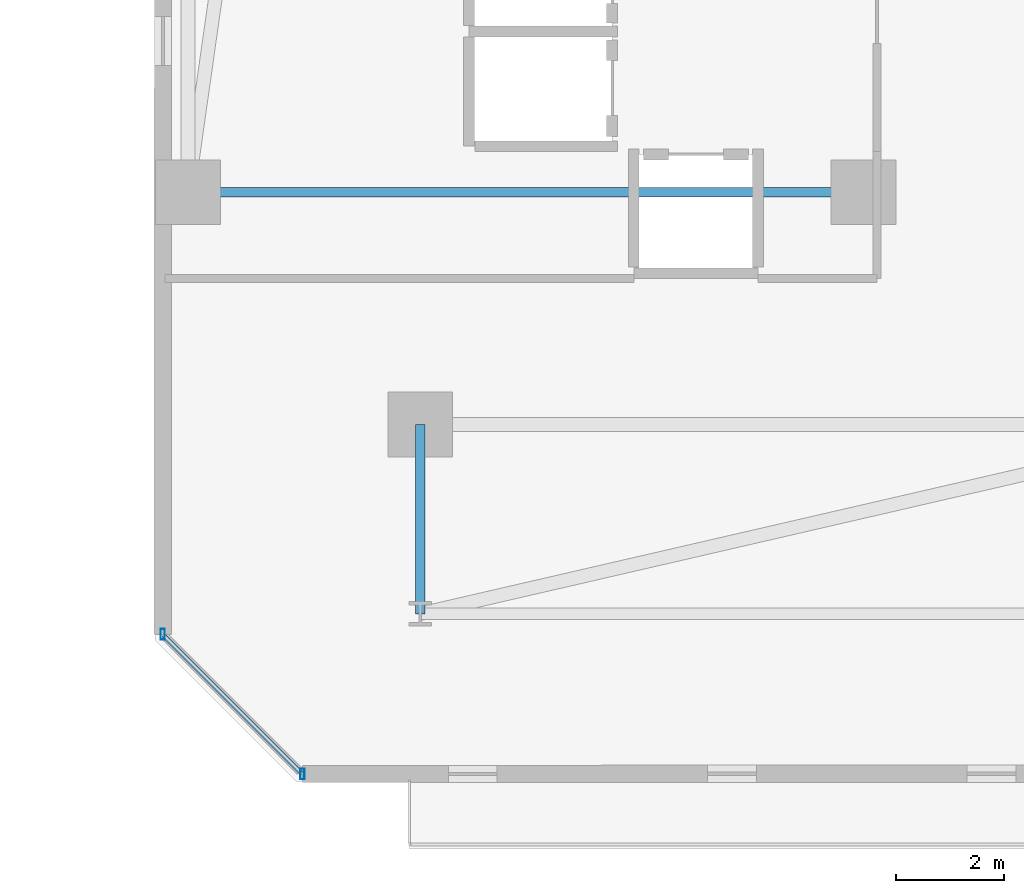
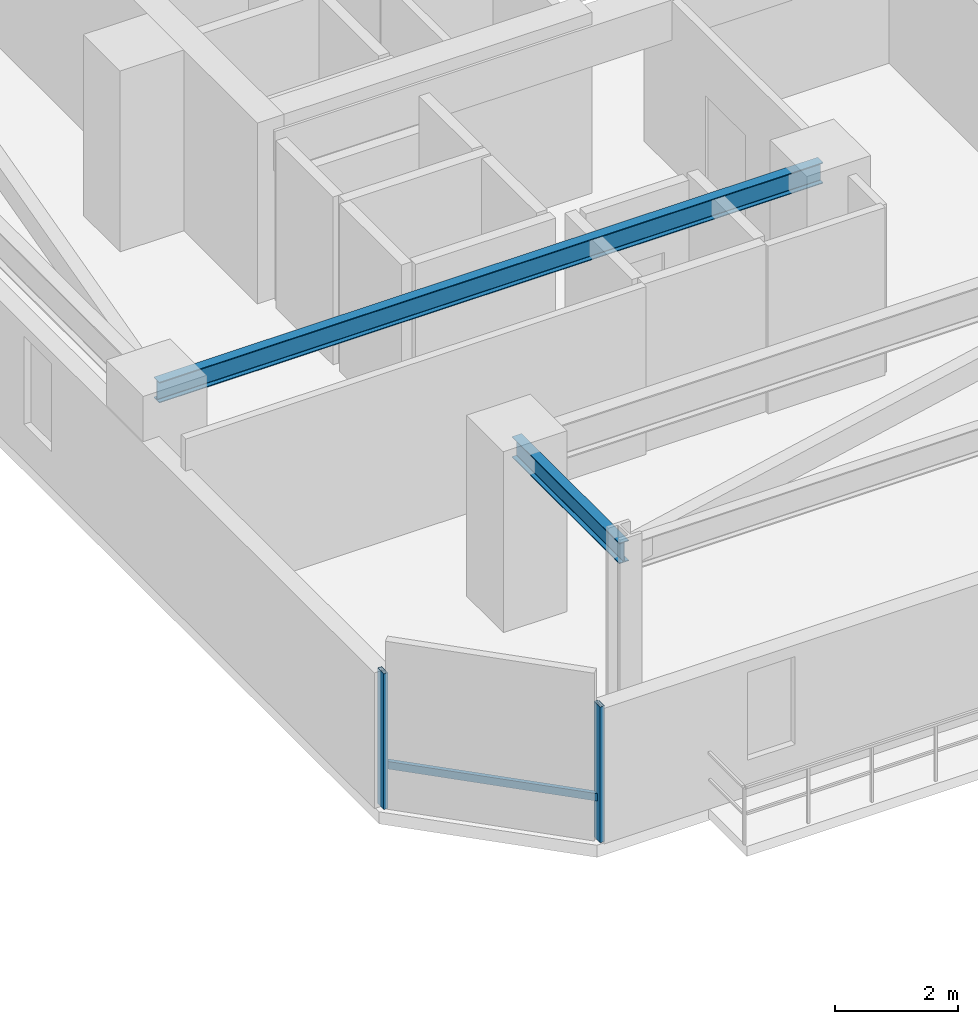
# One storey, part 10 of 31: 3 members, 2 beams, 1 element without a shape of its own.
"""IFC4 building model written with IfcOpenShell, lengths in metres."""

from ifc_helpers import new_model, si_unit, direction, frame, origin, origin_2d, place, context, subcontext, project, spatial, hollow_rectangle, i_section, extrude, material, material_profile, profile_set, type_object, element, aggregate, save


model = new_model("IFC4")

# Units and contexts
model_context = context("Model", 3, precision=1e-05, world=origin(), true_north=direction((0.0, 1.0)))
body_context = subcontext(model_context, "Body", "Model", "MODEL_VIEW")
ifc_project = project(units=[si_unit("LENGTHUNIT", "METRE"), si_unit("AREAUNIT", "SQUARE_METRE"), si_unit("VOLUMEUNIT", "CUBIC_METRE"), si_unit("PLANEANGLEUNIT", "RADIAN"), si_unit("MASSUNIT", "GRAM", prefix="KILO")], contexts=[model_context])

# Site, building, storey
site_placement = place(None, origin())
site = spatial("IfcSite", under=ifc_project, at=site_placement, CompositionType="ELEMENT")
building_placement = place(site_placement, origin())
building = spatial("IfcBuilding", under=site, at=building_placement, Name="Thornwick Lancets Civic Towers", CompositionType="ELEMENT")
storey_placement = place(building_placement, frame((0.0, 0.0, 126.89990234375)))
storey = spatial("IfcBuildingStorey", under=building, at=storey_placement, Name="L33", CompositionType="ELEMENT", Elevation=126.89990234375)

# Beams
ifc_material_1 = material(Name="Steel S355JR", Category="steel")
ifc_material_profile_1 = material_profile(ifc_material_1, i_section(OverallWidth=0.179443359375, OverallDepth=0.412841796875, WebThickness=0.009521484375, FlangeThickness=0.01611328125, FilletRadius=0.01025390625, at=origin_2d()), Name="UKB 406x178x74")
ifc_profile_set_1 = profile_set([ifc_material_profile_1], Name="Steel S355JR")
beam_type = type_object("IfcBeamType", Name="BM_JOIST_406_74", PredefinedType="JOIST", material=ifc_profile_set_1)
beam_1_placement = place(storey_placement, frame((83.699951171875, 14.0, 3.15380859375), z_axis=(-1.0, 0.0, 0.0), x_axis=(0.0, -1.0, 0.0)))
element("IfcBeam", 1, at=beam_1_placement, inside=storey, type_object=beam_type, Name="BM-RADIN-L33-B07", PredefinedType="JOIST", context=body_context, shape_type="SweptSolid", body=[
    extrude(i_section(OverallWidth=0.179443359375, OverallDepth=0.412841796875, WebThickness=0.009521484375, FlangeThickness=0.01611328125, FilletRadius=0.01025390625, at=origin_2d()), origin(), (0.0, 0.0, 1.0), 12.5),
])
beam_2_placement = place(storey_placement, frame((75.5, 9.699951171875, 3.15380859375), z_axis=(0.0, -1.0, 0.0), x_axis=(1.0, 0.0, 0.0)))
element("IfcBeam", 2, at=beam_2_placement, inside=storey, type_object=beam_type, Name="BM-RAD-L33-B12", PredefinedType="JOIST", context=body_context, shape_type="SweptSolid", body=[
    extrude(i_section(OverallWidth=0.179443359375, OverallDepth=0.412841796875, WebThickness=0.009521484375, FlangeThickness=0.01611328125, FilletRadius=0.01025390625, at=origin_2d()), origin(), (0.0, 0.0, 1.0), 3.5),
])

# Curtain wall, members
ifc_material_2 = material(Name="Mid-zone chamfered-corner unitised glass curtain wall", Category="glass")
curtain_wall_type = type_object("IfcCurtainWallType", Name="CW_SYS_04", PredefinedType="NOTDEFINED", material=ifc_material_2)
curtain_wall_placement = place(storey_placement, origin())
curtain_wall = element("IfcCurtainWall", 3, at=curtain_wall_placement, inside=storey, type_object=curtain_wall_type, Name="L33 Curtain Wall CW-L33-B-E7", PredefinedType="NOTDEFINED")
ifc_material_3 = material(Name="Thermally broken bronze aluminium S355", Category="steel")
ifc_material_profile_2 = material_profile(ifc_material_3, hollow_rectangle(XDim=0.080078125, YDim=0.199951171875, WallThickness=0.006103515625, at=origin_2d()), Name="RHS 200x80x6")
ifc_profile_set_2 = profile_set([ifc_material_profile_2], Name="Thermally broken bronze aluminium S355")
member_type_1 = type_object("IfcMemberType", Name="CW_MUL_200", PredefinedType="MULLION", material=ifc_profile_set_2)
member_1_placement = place(storey_placement, frame((70.7353515625, 5.818603515625, 0.0), z_axis=(0.0, 0.0, 1.0), x_axis=(1.0, 0.0, 0.0)))
member_1 = element("IfcMember", 4, at=member_1_placement, type_object=member_type_1, Name="CW-L33-B-E7 Mullion 0", PredefinedType="MULLION", context=body_context, shape_type="SweptSolid", body=[
    extrude(hollow_rectangle(XDim=0.080078125, YDim=0.199951171875, WallThickness=0.006103515625, at=origin_2d()), origin(), (0.0, 0.0, 1.0), 2.7001953125),
])
member_2_placement = place(storey_placement, frame((73.318603515625, 3.2353515625, 0.0), z_axis=(0.0, 0.0, 1.0), x_axis=(1.0, 0.0, 0.0)))
member_2 = element("IfcMember", 5, at=member_2_placement, type_object=member_type_1, Name="CW-L33-B-E7 Mullion 1", PredefinedType="MULLION", context=body_context, shape_type="SweptSolid", body=[
    extrude(hollow_rectangle(XDim=0.080078125, YDim=0.199951171875, WallThickness=0.006103515625, at=origin_2d()), origin(), (0.0, 0.0, 1.0), 2.7001953125),
])
ifc_material_profile_3 = material_profile(ifc_material_3, hollow_rectangle(XDim=0.074951171875, YDim=0.14990234375, WallThickness=0.0048828125, at=origin_2d()), Name="RHS 150x75x5")
ifc_profile_set_3 = profile_set([ifc_material_profile_3], Name="Thermally broken bronze aluminium S355")
member_type_2 = type_object("IfcMemberType", Name="CW_TRN_150", PredefinedType="USERDEFINED", material=ifc_profile_set_3)
member_3_placement = place(storey_placement, frame((70.74951171875, 5.804443359375, 0.85009765625), z_axis=(0.707106781187, -0.707106781187, 0.0), x_axis=(0.707106781187, 0.707106781187, 0.0)))
member_3 = element("IfcMember", 6, at=member_3_placement, type_object=member_type_2, Name="CW-L33-B-E7 Transom 0", ObjectType="TRANSOM", PredefinedType="USERDEFINED", context=body_context, shape_type="SweptSolid", body=[
    extrude(hollow_rectangle(XDim=0.074951171875, YDim=0.14990234375, WallThickness=0.0048828125, at=origin_2d()), origin(), (0.0, 0.0, 1.0), 3.61328125),
])
aggregate(curtain_wall, [member_1, member_2, member_3])

save(model, "model.ifc")
